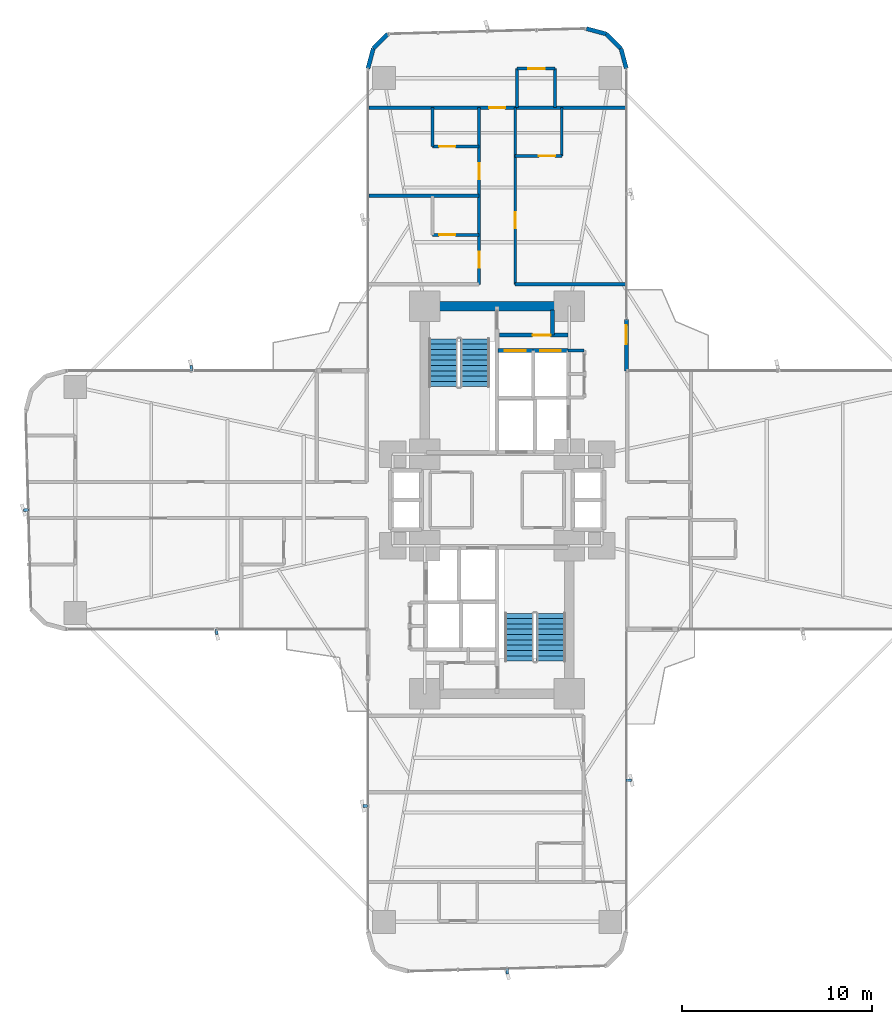
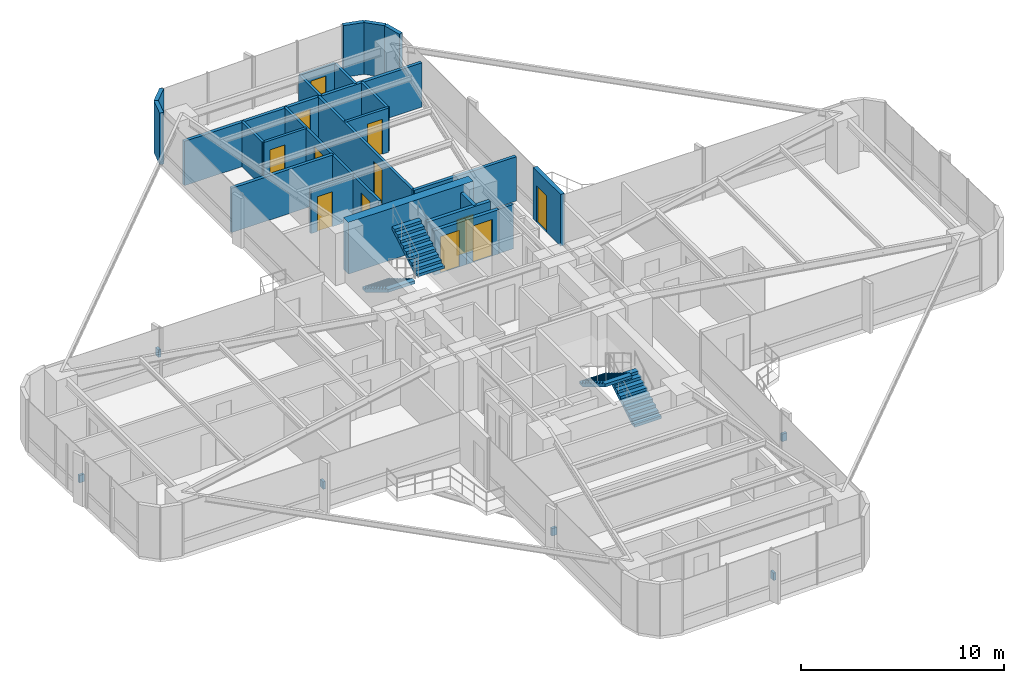
# One storey, part 24 of 26: 25 walls, 12 doors, 6 discrete accessories, 4 stair flights, 12 openings, 2 elements without a shape of their own.
"""IFC4 building model written with IfcOpenShell, lengths in metres."""

from ifc_helpers import new_model, si_unit, direction, frame, frame_2d, origin, origin_2d, place, context, subcontext, project, spatial, polyline, rectangle, outline, extrude, source, transform, mapped, material, layer, layer_set, type_object, element, fill, aggregate, save


model = new_model("IFC4")

# Units and contexts
model_context = context("Model", 3, precision=1e-05, world=origin(), true_north=direction((0.0, 1.0)))
body_context = subcontext(model_context, "Body", "Model", "MODEL_VIEW")
ifc_project = project(units=[si_unit("LENGTHUNIT", "METRE"), si_unit("AREAUNIT", "SQUARE_METRE"), si_unit("VOLUMEUNIT", "CUBIC_METRE"), si_unit("PLANEANGLEUNIT", "RADIAN"), si_unit("MASSUNIT", "GRAM", prefix="KILO")], contexts=[model_context])

# Site, building, storey
site_placement = place(None, origin())
site = spatial("IfcSite", under=ifc_project, at=site_placement, CompositionType="ELEMENT")
building_placement = place(site_placement, origin())
building = spatial("IfcBuilding", under=site, at=building_placement, Name="Sahyath Konkavel Grand Hotel", CompositionType="ELEMENT")
storey_placement = place(building_placement, frame((0.0, 0.0, 29.800048828125)))
storey = spatial("IfcBuildingStorey", under=building, at=storey_placement, Name="L07", CompositionType="ELEMENT", Elevation=29.800048828125)

# Wall
ifc_material_1 = material(Name="Concrete C70/85", Category="concrete")
ifc_layer_1 = layer(ifc_material_1, 0.5)
ifc_layer_set_1 = layer_set([ifc_layer_1], Name="Concrete C70/85")
wall_type_1 = type_object("IfcWallType", Name="CWALL-500", PredefinedType="SHEAR", material=ifc_layer_set_1)
wall_1_placement = place(storey_placement, frame((-3.550048828125, 10.199951171875, 0.0), z_axis=(0.0, 0.0, 1.0), x_axis=(1.0, 0.0, 0.0)))
element("IfcWall", 1, at=wall_1_placement, inside=storey, type_object=wall_type_1, Name="L07 North Core Shear Wall N", PredefinedType="SHEAR", context=body_context, shape_type="SweptSolid", body=[
    extrude(rectangle(XDim=7.10009765625, YDim=0.5, at=frame_2d((3.550048828125, 0.0))), origin(), (0.0, 0.0, 1.0), 3.10986328125),
])

# Wall, opening, door
ifc_material_2 = material(Name="Warm Buff Sandstone Insulated Concrete C40/50", Category="masonry")
ifc_layer_2 = layer(ifc_material_2, 0.219970703125)
ifc_layer_set_2 = layer_set([ifc_layer_2], Name="Warm Buff Sandstone Insulated Concrete C40/50")
wall_type_2 = type_object("IfcWallType", Name="WLL-BALC-THRESH", PredefinedType="STANDARD", material=ifc_layer_set_2)
wall_2_placement = place(storey_placement, frame((6.800048828125, 6.800048828125, 0.0), z_axis=(0.0, 0.0, 1.0), x_axis=(0.0, 1.0, 0.0)))
wall_2 = element("IfcWall", 2, at=wall_2_placement, inside=storey, type_object=wall_type_2, Name="L07 Winter-Garden Threshold Wall 8", PredefinedType="STANDARD", context=body_context, shape_type="SweptSolid", body=[
    extrude(rectangle(XDim=2.699951171875, YDim=0.219970703125, at=frame_2d((1.35009765625, 0.0))), origin(), (0.0, 0.0, 1.0), 3.10986328125),
])
opening_1_placement = place(wall_2_placement, frame((1.39990234375, 0.0, 0.0)))
opening_1 = element("IfcOpeningElement", 3, at=opening_1_placement, cuts=wall_2, Name="Opening D-TR1", PredefinedType="OPENING", context=body_context, shape_type="SweptSolid", body=[
    extrude(rectangle(XDim=1.0, YDim=2.199951171875, at=frame_2d((0.5, 1.10009765625))), frame((0.0, 0.1201171875, 0.0), z_axis=(0.0, -1.0, 0.0), x_axis=(1.0, 0.0, 0.0)), (0.0, 0.0, 1.0), 0.239990234375),
])
ifc_material_3 = material(Name="Anodised Bronze Aluminium & Low-E Glazing", Category="aluminium")
door_type_1 = type_object("IfcDoorType", Name="DR-TERRACE-1000", OperationType="NOTDEFINED", PredefinedType="DOOR", material=ifc_material_3)
shared_shape_1 = source(origin(), body_context, "Body", "SweptSolid", [
    extrude(rectangle(XDim=1.0, YDim=0.050048828125, at=origin_2d()), origin(), (0.0, 0.0, 1.0), 2.199951171875),
])
door_1_placement = place(opening_1_placement, frame((0.5, 0.0, 0.0)))
door_1 = element("IfcDoor", 4, at=door_1_placement, inside=storey, type_object=door_type_1, Name="L07 Winter-Garden Terrace Door 8", OperationType="SINGLE_SWING_LEFT", OverallHeight=2.199951171875, OverallWidth=1.0, PredefinedType="DOOR", context=body_context, shape_type="MappedRepresentation", body=[
    mapped(shared_shape_1, transform((0.0, 0.0, 0.0), scale=1.0)),
])
fill(opening_1, door_1)

# Walls
for number, where, z_axis, x_axis, name in (
    (5, (6.800048828125, 22.699951171875, 0.0), (0.0, 0.0, 1.0), (-0.25872485917, 0.965951058412, 0.0), "L07 Rounded Corner Sandstone Pier 9"),
    (6, (6.518798828125, 23.75, 0.0), (0.0, 0.0, 1.0), (-0.707106781187, 0.707106781187, 0.0), "L07 Rounded Corner Sandstone Pier 10"),
    (7, (5.75, 24.518798828125, 0.0), (0.0, 0.0, 1.0), (-0.965951058412, 0.25872485917, 0.0), "L07 Rounded Corner Sandstone Pier 11"),
    (8, (-5.75, 24.518798828125, 0.0), (0.0, 0.0, 1.0), (-0.707106781187, -0.707106781187, 0.0), "L07 Rounded Corner Sandstone Pier 13"),
    (9, (-6.518798828125, 23.75, 0.0), (0.0, 0.0, 1.0), (-0.25872485917, -0.965951058412, 0.0), "L07 Rounded Corner Sandstone Pier 14"),
):
    element("IfcWall", number, at=place(storey_placement, frame(where, z_axis=z_axis, x_axis=x_axis)), inside=storey, type_object=wall_type_2, Name=name, PredefinedType="STANDARD", context=body_context, shape_type="SweptSolid", body=[
        extrude(rectangle(XDim=1.087158203125, YDim=0.219970703125, at=frame_2d((0.54345703125, 0.0))), origin(), (0.0, 0.0, 1.0), 3.10986328125),
    ])

# Wall, opening, door
ifc_material_4 = material(Name="Concrete C40/50", Category="concrete")
ifc_layer_3 = layer(ifc_material_4, 0.199951171875)
ifc_layer_set_3 = layer_set([ifc_layer_3], Name="Concrete C40/50")
wall_type_3 = type_object("IfcWallType", Name="WLL-CORE-200", PredefinedType="SOLIDWALL", material=ifc_layer_set_3)
wall_3_placement = place(storey_placement, frame((0.050048828125, 7.860107421875, 0.0), z_axis=(0.0, 0.0, 1.0), x_axis=(1.0, 0.0, 0.0)))
wall_3 = element("IfcWall", 10, at=wall_3_placement, inside=storey, type_object=wall_type_3, Name="L07 Partition SH-PL1-N", PredefinedType="SOLIDWALL", context=body_context, shape_type="SweptSolid", body=[
    extrude(rectangle(XDim=1.849853515625, YDim=0.199951171875, at=frame_2d((0.9248046875, 0.0))), origin(), (0.0, 0.0, 1.0), 2.659912109375),
])
opening_2_placement = place(wall_3_placement, frame((0.360107421875, 0.0, 0.0)))
opening_2 = element("IfcOpeningElement", 11, at=opening_2_placement, cuts=wall_3, Name="Opening LD-11", PredefinedType="OPENING", context=body_context, shape_type="SweptSolid", body=[
    extrude(rectangle(XDim=1.10009765625, YDim=2.199951171875, at=frame_2d((0.550048828125, 1.10009765625))), frame((0.0, 0.10986328125, 0.0), z_axis=(0.0, -1.0, 0.0), x_axis=(1.0, 0.0, 0.0)), (0.0, 0.0, 1.0), 0.219970703125),
])
ifc_material_5 = material(Name="Bronze Lift Landing Door 1100")
door_type_2 = type_object("IfcDoorType", Name="DR-LIFT-1100", OperationType="DOUBLE_DOOR_SLIDING", PredefinedType="DOOR", material=ifc_material_5)
shared_shape_2 = source(origin(), body_context, "Body", "SweptSolid", [
    extrude(rectangle(XDim=1.10009765625, YDim=0.050048828125, at=origin_2d()), origin(), (0.0, 0.0, 1.0), 2.199951171875),
])
door_2_placement = place(opening_2_placement, frame((0.550048828125, 0.0, 0.0)))
door_2 = element("IfcDoor", 12, at=door_2_placement, inside=storey, type_object=door_type_2, Name="L07 Passenger Lift PL-1 Landing Door", OperationType="DOUBLE_DOOR_SLIDING", OverallHeight=2.199951171875, OverallWidth=1.10009765625, PredefinedType="DOOR", context=body_context, shape_type="MappedRepresentation", body=[
    mapped(shared_shape_2, transform((0.0, 0.0, 0.0), scale=1.0)),
])
fill(opening_2, door_2)

wall_4_placement = place(storey_placement, frame((1.89990234375, 7.860107421875, 0.0), z_axis=(0.0, 0.0, 1.0), x_axis=(1.0, 0.0, 0.0)))
wall_4 = element("IfcWall", 13, at=wall_4_placement, inside=storey, type_object=wall_type_3, Name="L07 Partition SH-PL2-N", PredefinedType="SOLIDWALL", context=body_context, shape_type="SweptSolid", body=[
    extrude(rectangle(XDim=1.840087890625, YDim=0.199951171875, at=frame_2d((0.919921875, 0.0))), origin(), (0.0, 0.0, 1.0), 2.659912109375),
])
opening_3_placement = place(wall_4_placement, frame((0.360107421875, 0.0, 0.0)))
opening_3 = element("IfcOpeningElement", 14, at=opening_3_placement, cuts=wall_4, Name="Opening LD-11", PredefinedType="OPENING", context=body_context, shape_type="SweptSolid", body=[
    extrude(rectangle(XDim=1.10009765625, YDim=2.199951171875, at=frame_2d((0.550048828125, 1.10009765625))), frame((0.0, 0.10986328125, 0.0), z_axis=(0.0, -1.0, 0.0), x_axis=(1.0, 0.0, 0.0)), (0.0, 0.0, 1.0), 0.219970703125),
])
door_3_placement = place(opening_3_placement, frame((0.550048828125, 0.0, 0.0)))
door_3 = element("IfcDoor", 15, at=door_3_placement, inside=storey, type_object=door_type_2, Name="L07 Passenger Lift PL-2 Landing Door", OperationType="DOUBLE_DOOR_SLIDING", OverallHeight=2.199951171875, OverallWidth=1.10009765625, PredefinedType="DOOR", context=body_context, shape_type="MappedRepresentation", body=[
    mapped(shared_shape_2, transform((0.0, 0.0, 0.0), scale=1.0)),
])
fill(opening_3, door_3)

wall_5_placement = place(storey_placement, frame((0.1201171875, 8.679931640625, 0.0), z_axis=(0.0, 0.0, 1.0), x_axis=(1.0, 0.0, 0.0)))
wall_5 = element("IfcWall", 16, at=wall_5_placement, inside=storey, type_object=wall_type_3, Name="L07 North FF Lobby Separation Wall", PredefinedType="SOLIDWALL", context=body_context, shape_type="SweptSolid", body=[
    extrude(rectangle(XDim=3.619873046875, YDim=0.199951171875, at=frame_2d((1.81005859375, 0.0))), origin(), (0.0, 0.0, 1.0), 2.659912109375),
])
opening_4_placement = place(wall_5_placement, frame((1.75, 0.0, 0.0)))
opening_4 = element("IfcOpeningElement", 17, at=opening_4_placement, cuts=wall_5, Name="Opening D-F12C", PredefinedType="OPENING", context=body_context, shape_type="SweptSolid", body=[
    extrude(rectangle(XDim=0.949951171875, YDim=2.14990234375, at=frame_2d((0.47509765625, 1.074951171875))), frame((0.0, 0.10986328125, 0.0), z_axis=(0.0, -1.0, 0.0), x_axis=(1.0, 0.0, 0.0)), (0.0, 0.0, 1.0), 0.219970703125),
])
ifc_material_6 = material(Name="Steel E350 Plant Fire Door", Category="steel")
door_type_3 = type_object("IfcDoorType", Name="DR-FD120-950", OperationType="NOTDEFINED", PredefinedType="DOOR", material=ifc_material_6)
shared_shape_3 = source(origin(), body_context, "Body", "SweptSolid", [
    extrude(rectangle(XDim=0.949951171875, YDim=0.050048828125, at=origin_2d()), origin(), (0.0, 0.0, 1.0), 2.14990234375),
])
door_4_placement = place(opening_4_placement, frame((0.47509765625, 0.0, 0.0)))
door_4 = element("IfcDoor", 18, at=door_4_placement, inside=storey, type_object=door_type_3, Name="L07 North Firefighting Lobby Door", OperationType="SINGLE_SWING_RIGHT", OverallHeight=2.14990234375, OverallWidth=0.949951171875, PredefinedType="DOOR", context=body_context, shape_type="MappedRepresentation", body=[
    mapped(shared_shape_3, transform((0.0, 0.0, 0.0), scale=1.0)),
])
fill(opening_4, door_4)

# Walls
wall_6_placement = place(storey_placement, frame((2.919921875, 8.679931640625, 0.0), z_axis=(0.0, 0.0, 1.0), x_axis=(0.0, 1.0, 0.0)))
element("IfcWall", 19, at=wall_6_placement, inside=storey, type_object=wall_type_3, Name="L07 Partition NFF-E2", PredefinedType="SOLIDWALL", context=body_context, shape_type="SweptSolid", body=[
    extrude(rectangle(XDim=1.320068359375, YDim=0.199951171875, at=frame_2d((0.66015625, 0.0))), origin(), (0.0, 0.0, 1.0), 2.659912109375),
])
ifc_material_7 = material(Name="Twin-Stud Acoustic Gypsum Plasterboard Partition")
ifc_layer_4 = layer(ifc_material_7, 0.179931640625)
ifc_layer_set_4 = layer_set([ifc_layer_4], Name="Twin-Stud Acoustic Gypsum Plasterboard Partition")
wall_type_4 = type_object("IfcWallType", Name="WLL-DEMISE-180", PredefinedType="PARTITIONING", material=ifc_layer_set_4)
for number, where, z_axis, x_axis, name in (
    (20, (6.75, 11.35009765625, 0.0), (0.0, 0.0, 1.0), (-1.0, 0.0, 0.0), "L07 Partition N-INR"),
    (21, (-0.949951171875, 16.0, 0.0), (0.0, 0.0, 1.0), (-1.0, 0.0, 0.0), "L07 Partition N-N4L1-DEM"),
):
    element("IfcWall", number, at=place(storey_placement, frame(where, z_axis=z_axis, x_axis=x_axis)), inside=storey, type_object=wall_type_4, Name=name, PredefinedType="PARTITIONING", context=body_context, shape_type="SweptSolid", body=[
        extrude(rectangle(XDim=5.800048828125, YDim=0.179931640625, at=frame_2d((2.89990234375, 0.0))), origin(), (0.0, 0.0, 1.0), 2.659912109375),
    ])

# Wall, opening, door
wall_7_placement = place(storey_placement, frame((6.75, 20.64990234375, 0.0), z_axis=(0.0, 0.0, 1.0), x_axis=(-1.0, 0.0, 0.0)))
wall_7 = element("IfcWall", 22, at=wall_7_placement, inside=storey, type_object=wall_type_4, Name="L07 Partition N-NTIP-END", PredefinedType="PARTITIONING", context=body_context, shape_type="SweptSolid", body=[
    extrude(rectangle(XDim=13.5, YDim=0.179931640625, at=frame_2d((6.75, 0.0))), origin(), (0.0, 0.0, 1.0), 2.659912109375),
])
opening_5_placement = place(wall_7_placement, frame((6.324951171875, 0.0, 0.0)))
opening_5 = element("IfcOpeningElement", 23, at=opening_5_placement, cuts=wall_7, Name="Opening D-F06D", PredefinedType="OPENING", context=body_context, shape_type="SweptSolid", body=[
    extrude(rectangle(XDim=0.85009765625, YDim=2.10009765625, at=frame_2d((0.425048828125, 1.050048828125))), frame((0.0, 0.10009765625, 0.0), z_axis=(0.0, -1.0, 0.0), x_axis=(1.0, 0.0, 0.0)), (0.0, 0.0, 1.0), 0.199951171875),
])
ifc_material_8 = material(Name="Fire-Rated Shaft Access Door")
door_type_4 = type_object("IfcDoorType", Name="DR-FD60-850", OperationType="NOTDEFINED", PredefinedType="DOOR", material=ifc_material_8)
shared_shape_4 = source(origin(), body_context, "Body", "SweptSolid", [
    extrude(rectangle(XDim=0.85009765625, YDim=0.050048828125, at=origin_2d()), origin(), (0.0, 0.0, 1.0), 2.10009765625),
])
door_5_placement = place(opening_5_placement, frame((0.425048828125, 0.0, 0.0)))
door_5 = element("IfcDoor", 24, at=door_5_placement, inside=storey, type_object=door_type_4, Name="L07 Door N-NTIP-ED", OperationType="SINGLE_SWING_LEFT", OverallHeight=2.10009765625, OverallWidth=0.85009765625, PredefinedType="DOOR", context=body_context, shape_type="MappedRepresentation", body=[
    mapped(shared_shape_4, transform((0.0, 0.0, 0.0), scale=1.0)),
])
fill(opening_5, door_5)

# Wall
ifc_material_9 = material(Name="Fire-Rated Gypsum Plasterboard Partition")
ifc_layer_5 = layer(ifc_material_9, 0.14990234375)
ifc_layer_set_5 = layer_set([ifc_layer_5], Name="Fire-Rated Gypsum Plasterboard Partition")
wall_type_5 = type_object("IfcWallType", Name="WLL-PART-150", PredefinedType="PARTITIONING", material=ifc_layer_set_5)
wall_8_placement = place(storey_placement, frame((3.739990234375, 7.860107421875, 0.0), z_axis=(0.0, 0.0, 1.0), x_axis=(1.0, 0.0, 0.0)))
element("IfcWall", 25, at=wall_8_placement, inside=storey, type_object=wall_type_5, Name="L07 Partition NC-FLK-N", PredefinedType="PARTITIONING", context=body_context, shape_type="SweptSolid", body=[
    extrude(rectangle(XDim=0.840087890625, YDim=0.14990234375, at=frame_2d((0.419921875, 0.0))), origin(), (0.0, 0.0, 1.0), 2.659912109375),
])

# Wall, openings, doors
wall_9_placement = place(storey_placement, frame((-0.949951171875, 11.35009765625, 0.0), z_axis=(0.0, 0.0, 1.0), x_axis=(0.0, 1.0, 0.0)))
wall_9 = element("IfcWall", 26, at=wall_9_placement, inside=storey, type_object=wall_type_5, Name="L07 Partition N-CL", PredefinedType="PARTITIONING", context=body_context, shape_type="SweptSolid", body=[
    extrude(rectangle(XDim=9.2998046875, YDim=0.14990234375, at=frame_2d((4.64990234375, 0.0))), origin(), (0.0, 0.0, 1.0), 2.659912109375),
])
opening_6_placement = place(wall_9_placement, frame((0.875, 0.0, 0.0)))
opening_6 = element("IfcOpeningElement", 27, at=opening_6_placement, cuts=wall_9, Name="Opening D-F06D", PredefinedType="OPENING", context=body_context, shape_type="SweptSolid", body=[
    extrude(rectangle(XDim=0.85009765625, YDim=2.10009765625, at=frame_2d((0.425048828125, 1.050048828125))), frame((0.0, 0.0849609375, 0.0), z_axis=(0.0, -1.0, 0.0), x_axis=(1.0, 0.0, 0.0)), (0.0, 0.0, 1.0), 0.169921875),
])
opening_7_placement = place(wall_9_placement, frame((5.52490234375, 0.0, 0.0)))
opening_7 = element("IfcOpeningElement", 28, at=opening_7_placement, cuts=wall_9, Name="Opening D-F06D", PredefinedType="OPENING", context=body_context, shape_type="SweptSolid", body=[
    extrude(rectangle(XDim=0.85009765625, YDim=2.10009765625, at=frame_2d((0.425048828125, 1.050048828125))), frame((0.0, 0.0849609375, 0.0), z_axis=(0.0, -1.0, 0.0), x_axis=(1.0, 0.0, 0.0)), (0.0, 0.0, 1.0), 0.169921875),
])
door_6_placement = place(opening_6_placement, frame((0.425048828125, 0.0, 0.0)))
door_6 = element("IfcDoor", 29, at=door_6_placement, inside=storey, type_object=door_type_4, Name="L07 Door N-N4L1-ED", OperationType="SINGLE_SWING_LEFT", OverallHeight=2.10009765625, OverallWidth=0.85009765625, PredefinedType="DOOR", context=body_context, shape_type="MappedRepresentation", body=[
    mapped(shared_shape_4, transform((0.0, 0.0, 0.0), scale=1.0)),
])
fill(opening_6, door_6)
door_7_placement = place(opening_7_placement, frame((0.425048828125, 0.0, 0.0)))
door_7 = element("IfcDoor", 30, at=door_7_placement, inside=storey, type_object=door_type_4, Name="L07 Door N-N4L2-ED", OperationType="SINGLE_SWING_LEFT", OverallHeight=2.10009765625, OverallWidth=0.85009765625, PredefinedType="DOOR", context=body_context, shape_type="MappedRepresentation", body=[
    mapped(shared_shape_4, transform((0.0, 0.0, 0.0), scale=1.0)),
])
fill(opening_7, door_7)

# Wall, opening, door
wall_10_placement = place(storey_placement, frame((0.949951171875, 11.35009765625, 0.0), z_axis=(0.0, 0.0, 1.0), x_axis=(0.0, 1.0, 0.0)))
wall_10 = element("IfcWall", 31, at=wall_10_placement, inside=storey, type_object=wall_type_5, Name="L07 Partition N-CR", PredefinedType="PARTITIONING", context=body_context, shape_type="SweptSolid", body=[
    extrude(rectangle(XDim=9.2998046875, YDim=0.14990234375, at=frame_2d((4.64990234375, 0.0))), origin(), (0.0, 0.0, 1.0), 2.659912109375),
])
opening_8_placement = place(wall_10_placement, frame((2.949951171875, 0.0, 0.0)))
opening_8 = element("IfcOpeningElement", 32, at=opening_8_placement, cuts=wall_10, Name="Opening D-F06D", PredefinedType="OPENING", context=body_context, shape_type="SweptSolid", body=[
    extrude(rectangle(XDim=0.85009765625, YDim=2.10009765625, at=frame_2d((0.425048828125, 1.050048828125))), frame((0.0, 0.0849609375, 0.0), z_axis=(0.0, -1.0, 0.0), x_axis=(1.0, 0.0, 0.0)), (0.0, 0.0, 1.0), 0.169921875),
])
door_8_placement = place(opening_8_placement, frame((0.425048828125, 0.0, 0.0)))
door_8 = element("IfcDoor", 33, at=door_8_placement, inside=storey, type_object=door_type_4, Name="L07 Door N-N4R1-ED", OperationType="SINGLE_SWING_LEFT", OverallHeight=2.10009765625, OverallWidth=0.85009765625, PredefinedType="DOOR", context=body_context, shape_type="MappedRepresentation", body=[
    mapped(shared_shape_4, transform((0.0, 0.0, 0.0), scale=1.0)),
])
fill(opening_8, door_8)

wall_11_placement = place(storey_placement, frame((-0.949951171875, 13.949951171875, 0.0), z_axis=(0.0, 0.0, 1.0), x_axis=(-1.0, 0.0, 0.0)))
wall_11 = element("IfcWall", 34, at=wall_11_placement, inside=storey, type_object=wall_type_5, Name="L07 Partition N-N4L1-BS", PredefinedType="PARTITIONING", context=body_context, shape_type="SweptSolid", body=[
    extrude(rectangle(XDim=2.449951171875, YDim=0.14990234375, at=frame_2d((1.22509765625, 0.0))), origin(), (0.0, 0.0, 1.0), 2.659912109375),
])
opening_9_placement = place(wall_11_placement, frame((1.25, 0.0, 0.0)))
opening_9 = element("IfcOpeningElement", 35, at=opening_9_placement, cuts=wall_11, Name="Opening D-BT85", PredefinedType="OPENING", context=body_context, shape_type="SweptSolid", body=[
    extrude(rectangle(XDim=0.85009765625, YDim=2.10009765625, at=frame_2d((0.425048828125, 1.050048828125))), frame((0.0, 0.0849609375, 0.0), z_axis=(0.0, -1.0, 0.0), x_axis=(1.0, 0.0, 0.0)), (0.0, 0.0, 1.0), 0.169921875),
])
ifc_material_10 = material(Name="Moisture-Resistant Teak Bathroom Door")
door_type_5 = type_object("IfcDoorType", Name="DR-BATH-850", OperationType="NOTDEFINED", PredefinedType="DOOR", material=ifc_material_10)
door_9_placement = place(opening_9_placement, frame((0.425048828125, 0.0, 0.0)))
door_9 = element("IfcDoor", 36, at=door_9_placement, inside=storey, type_object=door_type_5, Name="L07 Door N-N4L1-BD", OperationType="SINGLE_SWING_RIGHT", OverallHeight=2.10009765625, OverallWidth=0.85009765625, PredefinedType="DOOR", context=body_context, shape_type="MappedRepresentation", body=[
    mapped(shared_shape_4, transform((0.0, 0.0, 0.0), scale=1.0)),
])
fill(opening_9, door_9)

wall_12_placement = place(storey_placement, frame((-0.949951171875, 18.60009765625, 0.0), z_axis=(0.0, 0.0, 1.0), x_axis=(-1.0, 0.0, 0.0)))
wall_12 = element("IfcWall", 37, at=wall_12_placement, inside=storey, type_object=wall_type_5, Name="L07 Partition N-N4L2-BS", PredefinedType="PARTITIONING", context=body_context, shape_type="SweptSolid", body=[
    extrude(rectangle(XDim=2.449951171875, YDim=0.14990234375, at=frame_2d((1.22509765625, 0.0))), origin(), (0.0, 0.0, 1.0), 2.659912109375),
])
opening_10_placement = place(wall_12_placement, frame((1.25, 0.0, 0.0)))
opening_10 = element("IfcOpeningElement", 38, at=opening_10_placement, cuts=wall_12, Name="Opening D-BT85", PredefinedType="OPENING", context=body_context, shape_type="SweptSolid", body=[
    extrude(rectangle(XDim=0.85009765625, YDim=2.10009765625, at=frame_2d((0.425048828125, 1.050048828125))), frame((0.0, 0.0849609375, 0.0), z_axis=(0.0, -1.0, 0.0), x_axis=(1.0, 0.0, 0.0)), (0.0, 0.0, 1.0), 0.169921875),
])
door_10_placement = place(opening_10_placement, frame((0.425048828125, 0.0, 0.0)))
door_10 = element("IfcDoor", 39, at=door_10_placement, inside=storey, type_object=door_type_5, Name="L07 Door N-N4L2-BD", OperationType="SINGLE_SWING_RIGHT", OverallHeight=2.10009765625, OverallWidth=0.85009765625, PredefinedType="DOOR", context=body_context, shape_type="MappedRepresentation", body=[
    mapped(shared_shape_4, transform((0.0, 0.0, 0.0), scale=1.0)),
])
fill(opening_10, door_10)

# Wall
wall_13_placement = place(storey_placement, frame((-3.39990234375, 18.60009765625, 0.0), z_axis=(0.0, 0.0, 1.0), x_axis=(0.0, 1.0, 0.0)))
element("IfcWall", 40, at=wall_13_placement, inside=storey, type_object=wall_type_5, Name="L07 Partition N-N4L2-BF", PredefinedType="PARTITIONING", context=body_context, shape_type="SweptSolid", body=[
    extrude(rectangle(XDim=2.0498046875, YDim=0.14990234375, at=frame_2d((1.02490234375, 0.0))), origin(), (0.0, 0.0, 1.0), 2.659912109375),
])

# Wall, opening, door
wall_14_placement = place(storey_placement, frame((0.949951171875, 18.10009765625, 0.0), z_axis=(0.0, 0.0, 1.0), x_axis=(1.0, 0.0, 0.0)))
wall_14 = element("IfcWall", 41, at=wall_14_placement, inside=storey, type_object=wall_type_5, Name="L07 Partition N-N4R1-BS", PredefinedType="PARTITIONING", context=body_context, shape_type="SweptSolid", body=[
    extrude(rectangle(XDim=2.449951171875, YDim=0.14990234375, at=frame_2d((1.22509765625, 0.0))), origin(), (0.0, 0.0, 1.0), 2.659912109375),
])
opening_11_placement = place(wall_14_placement, frame((1.25, 0.0, 0.0)))
opening_11 = element("IfcOpeningElement", 42, at=opening_11_placement, cuts=wall_14, Name="Opening D-BT85", PredefinedType="OPENING", context=body_context, shape_type="SweptSolid", body=[
    extrude(rectangle(XDim=0.85009765625, YDim=2.10009765625, at=frame_2d((0.425048828125, 1.050048828125))), frame((0.0, 0.0849609375, 0.0), z_axis=(0.0, -1.0, 0.0), x_axis=(1.0, 0.0, 0.0)), (0.0, 0.0, 1.0), 0.169921875),
])
door_11_placement = place(opening_11_placement, frame((0.425048828125, 0.0, 0.0)))
door_11 = element("IfcDoor", 43, at=door_11_placement, inside=storey, type_object=door_type_5, Name="L07 Door N-N4R1-BD", OperationType="SINGLE_SWING_RIGHT", OverallHeight=2.10009765625, OverallWidth=0.85009765625, PredefinedType="DOOR", context=body_context, shape_type="MappedRepresentation", body=[
    mapped(shared_shape_4, transform((0.0, 0.0, 0.0), scale=1.0)),
])
fill(opening_11, door_11)

# Walls
wall_15_placement = place(storey_placement, frame((3.39990234375, 18.10009765625, 0.0), z_axis=(0.0, 0.0, 1.0), x_axis=(0.0, 1.0, 0.0)))
element("IfcWall", 44, at=wall_15_placement, inside=storey, type_object=wall_type_5, Name="L07 Partition N-N4R1-BF", PredefinedType="PARTITIONING", context=body_context, shape_type="SweptSolid", body=[
    extrude(rectangle(XDim=2.5498046875, YDim=0.14990234375, at=frame_2d((1.27490234375, 0.0))), origin(), (0.0, 0.0, 1.0), 2.659912109375),
])
for number, where, z_axis, x_axis, name in (
    (45, (1.050048828125, 20.64990234375, 0.0), (0.0, 0.0, 1.0), (0.0, 1.0, 0.0), "L07 Partition N-NTIP-BN"),
    (46, (3.050048828125, 20.64990234375, 0.0), (0.0, 0.0, 1.0), (0.0, 1.0, 0.0), "L07 Partition N-NTIP-BS"),
):
    element("IfcWall", number, at=place(storey_placement, frame(where, z_axis=z_axis, x_axis=x_axis)), inside=storey, type_object=wall_type_5, Name=name, PredefinedType="PARTITIONING", context=body_context, shape_type="SweptSolid", body=[
        extrude(rectangle(XDim=2.050048828125, YDim=0.14990234375, at=frame_2d((1.02490234375, 0.0))), origin(), (0.0, 0.0, 1.0), 2.659912109375),
    ])

# Wall, opening, door
wall_16_placement = place(storey_placement, frame((3.050048828125, 22.699951171875, 0.0), z_axis=(0.0, 0.0, 1.0), x_axis=(-1.0, 0.0, 0.0)))
wall_16 = element("IfcWall", 47, at=wall_16_placement, inside=storey, type_object=wall_type_5, Name="L07 Partition N-NTIP-BE", PredefinedType="PARTITIONING", context=body_context, shape_type="SweptSolid", body=[
    extrude(rectangle(XDim=2.0, YDim=0.14990234375, at=frame_2d((1.0, 0.0))), origin(), (0.0, 0.0, 1.0), 2.659912109375),
])
opening_12_placement = place(wall_16_placement, frame((0.550048828125, 0.0, 0.0)))
opening_12 = element("IfcOpeningElement", 48, at=opening_12_placement, cuts=wall_16, Name="Opening D-BT85", PredefinedType="OPENING", context=body_context, shape_type="SweptSolid", body=[
    extrude(rectangle(XDim=0.85009765625, YDim=2.10009765625, at=frame_2d((0.425048828125, 1.050048828125))), frame((0.0, 0.0849609375, 0.0), z_axis=(0.0, -1.0, 0.0), x_axis=(1.0, 0.0, 0.0)), (0.0, 0.0, 1.0), 0.169921875),
])
door_12_placement = place(opening_12_placement, frame((0.425048828125, 0.0, 0.0)))
door_12 = element("IfcDoor", 49, at=door_12_placement, inside=storey, type_object=door_type_5, Name="L07 Door N-NTIP-BD", OperationType="SINGLE_SWING_RIGHT", OverallHeight=2.10009765625, OverallWidth=0.85009765625, PredefinedType="DOOR", context=body_context, shape_type="MappedRepresentation", body=[
    mapped(shared_shape_4, transform((0.0, 0.0, 0.0), scale=1.0)),
])
fill(opening_12, door_12)

# Stair, stair flights
stair_type = type_object("IfcStairType", Name="STR-ST16-335", PredefinedType="HALF_TURN_STAIR", material=ifc_material_4)
stair_1_placement = place(storey_placement, origin())
stair_1 = element("IfcStair", 50, at=stair_1_placement, inside=storey, type_object=stair_type, Name="L07 North Core Smokeproof Exit Stair ST-1", PredefinedType="HALF_TURN_STAIR")
stair_flight_type = type_object("IfcStairFlightType", Name="STF-ST16-335", PredefinedType="STRAIGHT", material=ifc_material_4)
stair_flight_1_placement = place(storey_placement, frame((-2.840087890625, 8.47998046875, 0.0), z_axis=(0.0, 0.0, 1.0), x_axis=(0.0, -1.0, 0.0)))
stair_flight_1 = element("IfcStairFlight", 51, at=stair_flight_1_placement, type_object=stair_flight_type, Name="ST-1 flight 1", NumberOfRisers=10, NumberOfTreads=9, PredefinedType="STRAIGHT", RiserHeight=0.1675, TreadLength=0.28, context=body_context, shape_type="SweptSolid", body=[
    extrude(outline(polyline([(0.0, 0.0), (0.0, 0.16748046875), (0.280029296875, 0.16748046875), (0.280029296875, 0.3349609375), (0.56005859375, 0.3349609375), (0.56005859375, 0.50244140625), (0.840087890625, 0.50244140625), (0.840087890625, 0.669921875), (1.1201171875, 0.669921875), (1.1201171875, 0.83740234375), (1.39990234375, 0.83740234375), (1.39990234375, 1.0048828125), (1.679931640625, 1.0048828125), (1.679931640625, 1.172607421875), (1.9599609375, 1.172607421875), (1.9599609375, 1.340087890625), (2.239990234375, 1.340087890625), (2.239990234375, 1.507568359375), (2.52001953125, 1.507568359375), (2.52001953125, 1.675048828125), (2.52001953125, 1.332763671875), (0.2919921875, 0.0), (0.0, 0.0)])), frame((0.0, 0.760009765625, 0.0), z_axis=(0.0, -1.0, 0.0), x_axis=(1.0, 0.0, 0.0)), (0.0, 0.0, 1.0), 1.52001953125),
])
stair_flight_2_placement = place(storey_placement, frame((-1.159912109375, 5.9599609375, 1.675048828125), z_axis=(0.0, 0.0, 1.0), x_axis=(0.0, 1.0, 0.0)))
stair_flight_2 = element("IfcStairFlight", 52, at=stair_flight_2_placement, type_object=stair_flight_type, Name="ST-1 flight 2", NumberOfRisers=10, NumberOfTreads=9, PredefinedType="STRAIGHT", RiserHeight=0.1675, TreadLength=0.28, context=body_context, shape_type="SweptSolid", body=[
    extrude(outline(polyline([(0.0, 0.0), (0.0, 0.16748046875), (0.280029296875, 0.16748046875), (0.280029296875, 0.3349609375), (0.56005859375, 0.3349609375), (0.56005859375, 0.50244140625), (0.840087890625, 0.50244140625), (0.840087890625, 0.669921875), (1.1201171875, 0.669921875), (1.1201171875, 0.83740234375), (1.39990234375, 0.83740234375), (1.39990234375, 1.0048828125), (1.679931640625, 1.0048828125), (1.679931640625, 1.172607421875), (1.9599609375, 1.172607421875), (1.9599609375, 1.340087890625), (2.239990234375, 1.340087890625), (2.239990234375, 1.507568359375), (2.52001953125, 1.507568359375), (2.52001953125, 1.675048828125), (2.52001953125, 1.332763671875), (0.2919921875, 0.0), (0.0, 0.0)])), frame((0.0, 0.760009765625, 0.0), z_axis=(0.0, -1.0, 0.0), x_axis=(1.0, 0.0, 0.0)), (0.0, 0.0, 1.0), 1.52001953125),
])
aggregate(stair_1, [stair_flight_1, stair_flight_2])

stair_2_placement = place(storey_placement, origin())
stair_2 = element("IfcStair", 53, at=stair_2_placement, inside=storey, type_object=stair_type, Name="L07 South Core Smokeproof Exit Stair ST-2", PredefinedType="HALF_TURN_STAIR")
stair_flight_3_placement = place(storey_placement, frame((2.840087890625, -8.47998046875, 0.0), z_axis=(0.0, 0.0, 1.0), x_axis=(0.0, 1.0, 0.0)))
stair_flight_3 = element("IfcStairFlight", 54, at=stair_flight_3_placement, type_object=stair_flight_type, Name="ST-2 flight 1", NumberOfRisers=10, NumberOfTreads=9, PredefinedType="STRAIGHT", RiserHeight=0.1675, TreadLength=0.28, context=body_context, shape_type="SweptSolid", body=[
    extrude(outline(polyline([(0.0, 0.0), (0.0, 0.16748046875), (0.280029296875, 0.16748046875), (0.280029296875, 0.3349609375), (0.56005859375, 0.3349609375), (0.56005859375, 0.50244140625), (0.840087890625, 0.50244140625), (0.840087890625, 0.669921875), (1.1201171875, 0.669921875), (1.1201171875, 0.83740234375), (1.39990234375, 0.83740234375), (1.39990234375, 1.0048828125), (1.679931640625, 1.0048828125), (1.679931640625, 1.172607421875), (1.9599609375, 1.172607421875), (1.9599609375, 1.340087890625), (2.239990234375, 1.340087890625), (2.239990234375, 1.507568359375), (2.52001953125, 1.507568359375), (2.52001953125, 1.675048828125), (2.52001953125, 1.332763671875), (0.2919921875, 0.0), (0.0, 0.0)])), frame((0.0, 0.760009765625, 0.0), z_axis=(0.0, -1.0, 0.0), x_axis=(1.0, 0.0, 0.0)), (0.0, 0.0, 1.0), 1.52001953125),
])
stair_flight_4_placement = place(storey_placement, frame((1.159912109375, -5.9599609375, 1.675048828125), z_axis=(0.0, 0.0, 1.0), x_axis=(0.0, -1.0, 0.0)))
stair_flight_4 = element("IfcStairFlight", 55, at=stair_flight_4_placement, type_object=stair_flight_type, Name="ST-2 flight 2", NumberOfRisers=10, NumberOfTreads=9, PredefinedType="STRAIGHT", RiserHeight=0.1675, TreadLength=0.28, context=body_context, shape_type="SweptSolid", body=[
    extrude(outline(polyline([(0.0, 0.0), (0.0, 0.16748046875), (0.280029296875, 0.16748046875), (0.280029296875, 0.3349609375), (0.56005859375, 0.3349609375), (0.56005859375, 0.50244140625), (0.840087890625, 0.50244140625), (0.840087890625, 0.669921875), (1.1201171875, 0.669921875), (1.1201171875, 0.83740234375), (1.39990234375, 0.83740234375), (1.39990234375, 1.0048828125), (1.679931640625, 1.0048828125), (1.679931640625, 1.172607421875), (1.9599609375, 1.172607421875), (1.9599609375, 1.340087890625), (2.239990234375, 1.340087890625), (2.239990234375, 1.507568359375), (2.52001953125, 1.507568359375), (2.52001953125, 1.675048828125), (2.52001953125, 1.332763671875), (0.2919921875, 0.0), (0.0, 0.0)])), frame((0.0, 0.760009765625, 0.0), z_axis=(0.0, -1.0, 0.0), x_axis=(1.0, 0.0, 0.0)), (0.0, 0.0, 1.0), 1.52001953125),
])
aggregate(stair_2, [stair_flight_3, stair_flight_4])

# Discrete accessories
ifc_material_11 = material(Name="Steel E350", Category="steel")
discrete_accessory_type = type_object("IfcDiscreteAccessoryType", Name="ACC-FIN-BRACKET", PredefinedType="BRACKET", material=ifc_material_11)
shared_shape_5 = source(origin(), body_context, "Body", "SweptSolid", [
    extrude(rectangle(XDim=0.280029296875, YDim=0.139892578125, at=origin_2d()), origin(), (0.0, 0.0, 1.0), 0.449951171875),
])
for number, where, z_axis, x_axis, name in (
    (56, (-16.10009765625, 6.929931640625, 1.330078125), (0.0, 0.0, 1.0), (0.0, 1.0, 0.0), "L07 Fin Support Bracket F16-1"),
    (57, (-24.789306640625, -0.528564453125, 1.330078125), (0.0, 0.0, 1.0), (-0.999637867691, -0.026909728301, 0.0), "L07 Fin Support Bracket F20-2"),
    (58, (-14.75, -6.929931640625, 1.330078125), (0.0, 0.0, 1.0), (0.0, -1.0, 0.0), "L07 Fin Support Bracket F23-1"),
    (59, (-6.929931640625, -16.10009765625, 1.330078125), (0.0, 0.0, 1.0), (-1.0, 0.0, 0.0), "L07 Fin Support Bracket F24-1"),
    (60, (0.528564453125, -24.789306640625, 1.330078125), (0.0, 0.0, 1.0), (0.026909728301, -0.999637867691, 0.0), "L07 Fin Support Bracket F28-2"),
    (61, (6.929931640625, -14.75, 1.330078125), (0.0, 0.0, 1.0), (1.0, 0.0, 0.0), "L07 Fin Support Bracket F31-1"),
):
    element("IfcDiscreteAccessory", number, at=place(storey_placement, frame(where, z_axis=z_axis, x_axis=x_axis)), inside=storey, type_object=discrete_accessory_type, Name=name, PredefinedType="BRACKET", context=body_context, shape_type="MappedRepresentation", body=[
        mapped(shared_shape_5, transform((0.0, 0.0, 0.0), scale=1.0)),
    ])

save(model, "model.ifc")
